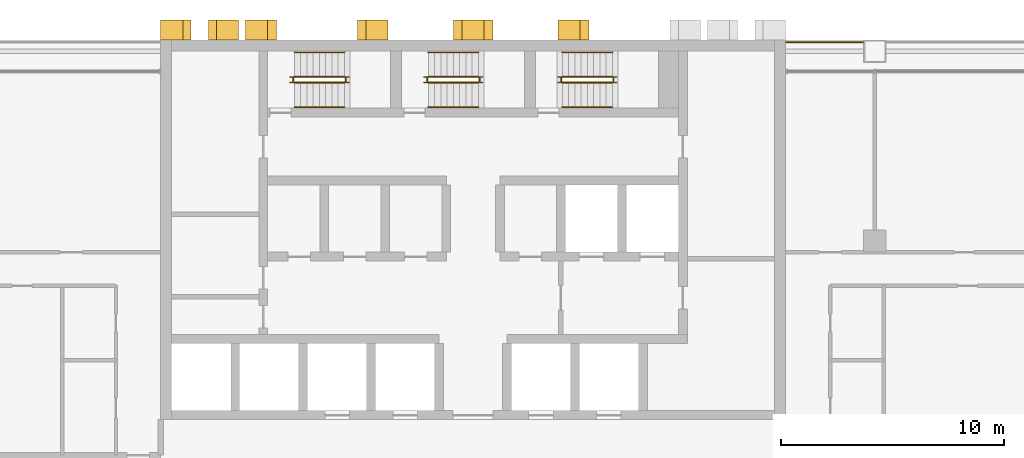
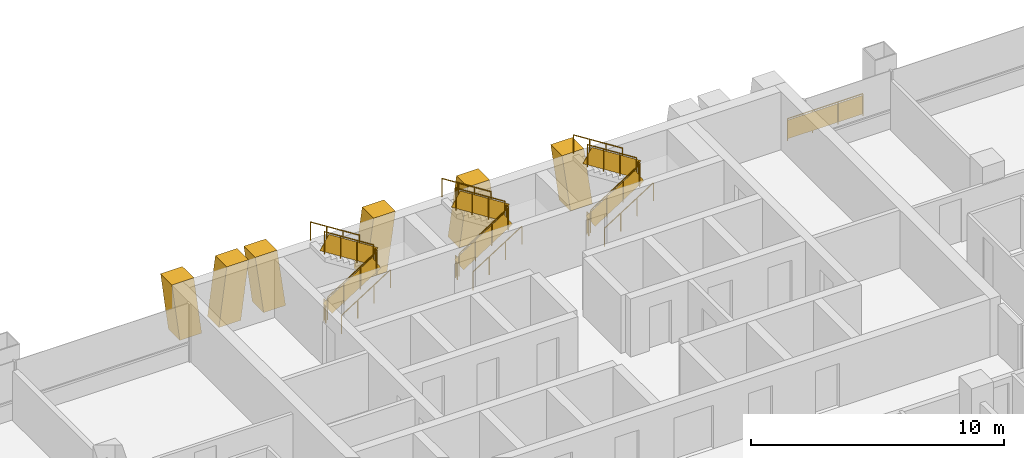
# One storey, part 18 of 19: 19 railings, 6 shading devices.
"""IFC4 building model written with IfcOpenShell, lengths in metres."""

from ifc_helpers import new_model, si_unit, direction, frame, origin, origin_2d, place, context, subcontext, project, spatial, polyline, rectangle, circle, outline, extrude, material, layer, layer_set, type_object, element, save


model = new_model("IFC4")

# Units and contexts
model_context = context("Model", 3, precision=1e-05, world=origin(), true_north=direction((0.0, 1.0)))
body_context = subcontext(model_context, "Body", "Model", "MODEL_VIEW")
ifc_project = project(units=[si_unit("LENGTHUNIT", "METRE"), si_unit("AREAUNIT", "SQUARE_METRE"), si_unit("VOLUMEUNIT", "CUBIC_METRE"), si_unit("PLANEANGLEUNIT", "RADIAN"), si_unit("MASSUNIT", "GRAM", prefix="KILO")], contexts=[model_context])

# Site, building, storey
site_placement = place(None, origin())
site = spatial("IfcSite", under=ifc_project, at=site_placement, CompositionType="ELEMENT")
building_placement = place(site_placement, origin())
building = spatial("IfcBuilding", under=site, at=building_placement, Name="Vidyagriha Tower", CompositionType="ELEMENT")
storey_placement = place(building_placement, frame((0.0, 0.0, 60.800048828125)))
storey = spatial("IfcBuildingStorey", under=building, at=storey_placement, Name="L16", CompositionType="ELEMENT", Elevation=60.800048828125)

# Shading devices
ifc_material_1 = material(Name="Precast concrete C40/50 with brick facing", Category="concrete")
ifc_layer_1 = layer(ifc_material_1, 1.0)
ifc_layer_set_1 = layer_set([ifc_layer_1], Name="Precast concrete C40/50 with brick facing")
shading_device_type_1 = type_object("IfcShadingDeviceType", Name="Brick-faced rear rib arm leaning 8 degrees", PredefinedType="USERDEFINED", material=ifc_layer_set_1)
for number, where, z_axis, x_axis, name in (
    (1, (5.185791015625, 20.449951171875, 0.0), (0.0, 0.0, 1.0), (-1.0, 0.0, 0.0), "Rear rib arm L16 R08.2a"),
    (2, (-8.814208984375, 20.449951171875, 0.0), (0.0, 0.0, 1.0), (-1.0, 0.0, 0.0), "Rear rib arm L16 R08.4a"),
):
    element("IfcShadingDevice", number, at=place(storey_placement, frame(where, z_axis=z_axis, x_axis=x_axis)), inside=storey, type_object=shading_device_type_1, Name=name, ObjectType="BLADE FIN", PredefinedType="USERDEFINED", context=body_context, shape_type="SweptSolid", body=[
        extrude(outline(polyline([(0.0, 0.0), (1.0, 0.0), (1.3857421875, 2.800048828125), (0.3857421875, 2.800048828125), (0.0, 0.0)])), frame((0.0, 0.449951171875, 0.0), z_axis=(0.0, -1.0, 0.0), x_axis=(1.0, 0.0, 0.0)), (0.0, 0.0, 1.0), 0.89990234375),
    ])
shading_device_1_placement = place(storey_placement, frame((-3.800048828125, 20.449951171875, 0.0), z_axis=(0.0, 0.0, 1.0), x_axis=(-1.0, 0.0, 0.0)))
element("IfcShadingDevice", 3, at=shading_device_1_placement, inside=storey, type_object=shading_device_type_1, Name="Rear rib arm L16 R08.4b", ObjectType="BLADE FIN", PredefinedType="USERDEFINED", context=body_context, shape_type="SweptSolid", body=[
    extrude(outline(polyline([(0.3857421875, 0.0), (1.3857421875, 0.0), (1.0, 2.800048828125), (0.0, 2.800048828125), (0.3857421875, 0.0)])), frame((0.0, 0.449951171875, 0.0), z_axis=(0.0, -1.0, 0.0), x_axis=(1.0, 0.0, 0.0)), (0.0, 0.0, 1.0), 0.89990234375),
])
shading_device_2_placement = place(storey_placement, frame((-12.642822265625, 20.449951171875, 0.0), z_axis=(0.0, 0.0, 1.0), x_axis=(-1.0, 0.0, 0.0)))
element("IfcShadingDevice", 4, at=shading_device_2_placement, inside=storey, type_object=shading_device_type_1, Name="Rear rib arm L16 R08.5a", ObjectType="BLADE FIN", PredefinedType="USERDEFINED", context=body_context, shape_type="SweptSolid", body=[
    extrude(outline(polyline([(0.0, 0.0), (1.0, 0.0), (1.357177734375, 2.800048828125), (0.357177734375, 2.800048828125), (0.0, 0.0)])), frame((0.0, 0.449951171875, 0.0), z_axis=(0.0, -1.0, 0.0), x_axis=(1.0, 0.0, 0.0)), (0.0, 0.0, 1.0), 0.89990234375),
])
shading_device_3_placement = place(storey_placement, frame((-10.5, 20.449951171875, 0.0), z_axis=(0.0, 0.0, 1.0), x_axis=(-1.0, 0.0, 0.0)))
element("IfcShadingDevice", 5, at=shading_device_3_placement, inside=storey, type_object=shading_device_type_1, Name="Rear rib arm L16 R08.5b", ObjectType="BLADE FIN", PredefinedType="USERDEFINED", context=body_context, shape_type="SweptSolid", body=[
    extrude(outline(polyline([(0.357177734375, 0.0), (1.357177734375, 0.0), (1.0, 2.800048828125), (0.0, 2.800048828125), (0.357177734375, 0.0)])), frame((0.0, 0.449951171875, 0.0), z_axis=(0.0, -1.0, 0.0), x_axis=(1.0, 0.0, 0.0)), (0.0, 0.0, 1.0), 0.89990234375),
])
ifc_material_2 = material(Name="Precast concrete C40/50 with brick facing", Category="concrete")
ifc_layer_2 = layer(ifc_material_2, 1.0)
ifc_layer_set_2 = layer_set([ifc_layer_2], Name="Precast concrete C40/50 with brick facing")
shading_device_type_2 = type_object("IfcShadingDeviceType", Name="Brick-faced rear rib forking 8 degrees", PredefinedType="USERDEFINED", material=ifc_layer_set_2)
shading_device_4_placement = place(storey_placement, frame((0.8857421875, 20.449951171875, 0.0), z_axis=(0.0, 0.0, 1.0), x_axis=(-1.0, 0.0, 0.0)))
element("IfcShadingDevice", 6, at=shading_device_4_placement, inside=storey, type_object=shading_device_type_2, Name="Rear rib fork L16 R08.3a", ObjectType="BLADE FIN", PredefinedType="USERDEFINED", context=body_context, shape_type="SweptSolid", body=[
    extrude(outline(polyline([(0.0, 0.0), (1.771484375, 0.0), (1.3857421875, 2.800048828125), (0.3857421875, 2.800048828125), (0.0, 0.0)])), frame((0.0, 0.449951171875, 0.0), z_axis=(0.0, -1.0, 0.0), x_axis=(1.0, 0.0, 0.0)), (0.0, 0.0, 1.0), 0.89990234375),
])

# Railings
ifc_material_3 = material(Name="Steel ASTM A500 Grade C black painted", Category="steel")
railing_type_1 = type_object("IfcRailingType", Name="Gallery guard 1100", PredefinedType="GUARDRAIL", material=ifc_material_3)
railing_1_placement = place(storey_placement, frame((14.030029296875, 19.89990234375, 0.0)))
element("IfcRailing", 7, at=railing_1_placement, inside=storey, type_object=railing_type_1, Name="Gallery guard L16 10", PredefinedType="GUARDRAIL", context=body_context, shape_type="SweptSolid", body=[
    extrude(circle(Radius=0.02490234375, at=origin_2d()), frame((0.0, 0.0, 1.0751953125), z_axis=(1.0, 0.0, 0.0), x_axis=(0.0, 1.0, 0.0)), (0.0, 0.0, 1.0), 3.43994140625),
    extrude(circle(Radius=0.02001953125, at=origin_2d()), origin(), (0.0, 0.0, 1.0), 1.050048828125),
    extrude(circle(Radius=0.02001953125, at=origin_2d()), frame((1.146728515625, 0.0, 0.0)), (0.0, 0.0, 1.0), 1.050048828125),
    extrude(circle(Radius=0.02001953125, at=origin_2d()), frame((2.293212890625, 0.0, 0.0)), (0.0, 0.0, 1.0), 1.050048828125),
    extrude(circle(Radius=0.02001953125, at=origin_2d()), frame((3.43994140625, 0.0, 0.0)), (0.0, 0.0, 1.0), 1.050048828125),
    extrude(rectangle(XDim=0.010009765625, YDim=0.900146484375, at=origin_2d()), frame((0.0, 0.0, 0.550048828125), z_axis=(1.0, 0.0, 0.0), x_axis=(0.0, 1.0, 0.0)), (0.0, 0.0, 1.0), 3.43994140625),
])
ifc_material_4 = material(Name="Steel ASTM A500 Grade C", Category="steel")
railing_type_2 = type_object("IfcRailingType", Name="Stair guard 1100 mm, steel balustrade", PredefinedType="GUARDRAIL", material=ifc_material_4)
railing_2_placement = place(storey_placement, frame((-8.0, 18.10009765625, 0.177734375)))
element("IfcRailing", 8, at=railing_2_placement, inside=storey, type_object=railing_type_2, Name="L16 ST1 stair guard 1", PredefinedType="GUARDRAIL", context=body_context, shape_type="SweptSolid", body=[
    extrude(circle(Radius=0.02392578125, at=origin_2d()), frame((0.0, 0.0, 1.076171875), z_axis=(0.8442293374, 0.0, 0.53598211339), x_axis=(0.0, 1.0, 0.0)), (0.0, 0.0, 1.0), 2.6533203125),
    extrude(circle(Radius=0.02099609375, at=origin_2d()), origin(), (0.0, 0.0, 1.0), 1.052001953125),
    extrude(circle(Radius=0.02099609375, at=origin_2d()), frame((0.74658203125, 0.0, 0.47412109375)), (0.0, 0.0, 1.0), 1.052001953125),
    extrude(circle(Radius=0.02099609375, at=origin_2d()), frame((1.493408203125, 0.0, 0.947998046875)), (0.0, 0.0, 1.0), 1.052001953125),
    extrude(circle(Radius=0.02099609375, at=origin_2d()), frame((2.239990234375, 0.0, 1.422119140625)), (0.0, 0.0, 1.0), 1.052001953125),
    extrude(rectangle(XDim=0.010009765625, YDim=0.761474609375, at=origin_2d()), frame((0.0, 0.0, 0.551025390625), z_axis=(0.8442293374, 0.0, 0.53598211339), x_axis=(0.0, 1.0, 0.0)), (0.0, 0.0, 1.0), 2.6533203125),
])
railing_3_placement = place(storey_placement, frame((-5.7099609375, 18.14990234375, 1.599853515625)))
element("IfcRailing", 9, at=railing_3_placement, inside=storey, type_object=railing_type_2, Name="L16 ST1 stair guard 2", PredefinedType="GUARDRAIL", context=body_context, shape_type="SweptSolid", body=[
    extrude(circle(Radius=0.02392578125, at=origin_2d()), frame((0.0, 0.0, 1.076171875), z_axis=(0.0, 1.0, 0.0), x_axis=(-1.0, 0.0, 0.0)), (0.0, 0.0, 1.0), 0.150146484375),
    extrude(circle(Radius=0.02099609375, at=origin_2d()), origin(), (0.0, 0.0, 1.0), 1.052001953125),
    extrude(circle(Radius=0.02099609375, at=origin_2d()), frame((0.0, 0.150146484375, 0.0)), (0.0, 0.0, 1.0), 1.052001953125),
    extrude(rectangle(XDim=0.010009765625, YDim=0.902099609375, at=origin_2d()), frame((0.0, 0.0, 0.551025390625), z_axis=(0.0, 1.0, 0.0), x_axis=(-1.0, 0.0, 0.0)), (0.0, 0.0, 1.0), 0.150146484375),
])
railing_4_placement = place(storey_placement, frame((-5.760009765625, 18.35009765625, 1.77783203125)))
element("IfcRailing", 10, at=railing_4_placement, inside=storey, type_object=railing_type_2, Name="L16 ST1 stair guard 3", PredefinedType="GUARDRAIL", context=body_context, shape_type="SweptSolid", body=[
    extrude(circle(Radius=0.02392578125, at=origin_2d()), frame((0.0, 0.0, 1.076171875), z_axis=(-0.8442293374, 0.0, 0.53598211339), x_axis=(0.0, -1.0, 0.0)), (0.0, 0.0, 1.0), 2.6533203125),
    extrude(circle(Radius=0.02099609375, at=origin_2d()), origin(), (0.0, 0.0, 1.0), 1.052001953125),
    extrude(circle(Radius=0.02099609375, at=origin_2d()), frame((-0.74658203125, 0.0, 0.47412109375)), (0.0, 0.0, 1.0), 1.052001953125),
    extrude(circle(Radius=0.02099609375, at=origin_2d()), frame((-1.493408203125, 0.0, 0.947998046875)), (0.0, 0.0, 1.0), 1.052001953125),
    extrude(circle(Radius=0.02099609375, at=origin_2d()), frame((-2.239990234375, 0.0, 1.422119140625)), (0.0, 0.0, 1.0), 1.052001953125),
    extrude(rectangle(XDim=0.010009765625, YDim=0.761474609375, at=origin_2d()), frame((0.0, 0.0, 0.551025390625), z_axis=(-0.8442293374, 0.0, 0.53598211339), x_axis=(0.0, -1.0, 0.0)), (0.0, 0.0, 1.0), 2.6533203125),
])
railing_5_placement = place(storey_placement, frame((-8.050048828125, 18.14990234375, 0.0)))
element("IfcRailing", 11, at=railing_5_placement, inside=storey, type_object=railing_type_2, Name="L16 ST1 stair guard 4", PredefinedType="GUARDRAIL", context=body_context, shape_type="SweptSolid", body=[
    extrude(circle(Radius=0.02392578125, at=origin_2d()), frame((0.0, 0.0, 1.076171875), z_axis=(0.0, 1.0, 0.0), x_axis=(-1.0, 0.0, 0.0)), (0.0, 0.0, 1.0), 0.150146484375),
    extrude(circle(Radius=0.02099609375, at=origin_2d()), origin(), (0.0, 0.0, 1.0), 1.052001953125),
    extrude(circle(Radius=0.02099609375, at=origin_2d()), frame((0.0, 0.150146484375, 0.0)), (0.0, 0.0, 1.0), 1.052001953125),
    extrude(rectangle(XDim=0.010009765625, YDim=0.902099609375, at=origin_2d()), frame((0.0, 0.0, 0.551025390625), z_axis=(0.0, 1.0, 0.0), x_axis=(-1.0, 0.0, 0.0)), (0.0, 0.0, 1.0), 0.150146484375),
])
railing_6_placement = place(storey_placement, frame((-2.0, 18.10009765625, 0.177734375)))
element("IfcRailing", 12, at=railing_6_placement, inside=storey, type_object=railing_type_2, Name="L16 ST2 stair guard 1", PredefinedType="GUARDRAIL", context=body_context, shape_type="SweptSolid", body=[
    extrude(circle(Radius=0.02392578125, at=origin_2d()), frame((0.0, 0.0, 1.076171875), z_axis=(0.8442293374, 0.0, 0.53598211339), x_axis=(0.0, 1.0, 0.0)), (0.0, 0.0, 1.0), 2.6533203125),
    extrude(circle(Radius=0.02099609375, at=origin_2d()), origin(), (0.0, 0.0, 1.0), 1.052001953125),
    extrude(circle(Radius=0.02099609375, at=origin_2d()), frame((0.74658203125, 0.0, 0.47412109375)), (0.0, 0.0, 1.0), 1.052001953125),
    extrude(circle(Radius=0.02099609375, at=origin_2d()), frame((1.493408203125, 0.0, 0.947998046875)), (0.0, 0.0, 1.0), 1.052001953125),
    extrude(circle(Radius=0.02099609375, at=origin_2d()), frame((2.239990234375, 0.0, 1.422119140625)), (0.0, 0.0, 1.0), 1.052001953125),
    extrude(rectangle(XDim=0.010009765625, YDim=0.761474609375, at=origin_2d()), frame((0.0, 0.0, 0.551025390625), z_axis=(0.8442293374, 0.0, 0.53598211339), x_axis=(0.0, 1.0, 0.0)), (0.0, 0.0, 1.0), 2.6533203125),
])
railing_7_placement = place(storey_placement, frame((0.2900390625, 18.14990234375, 1.599853515625)))
element("IfcRailing", 13, at=railing_7_placement, inside=storey, type_object=railing_type_2, Name="L16 ST2 stair guard 2", PredefinedType="GUARDRAIL", context=body_context, shape_type="SweptSolid", body=[
    extrude(circle(Radius=0.02392578125, at=origin_2d()), frame((0.0, 0.0, 1.076171875), z_axis=(0.0, 1.0, 0.0), x_axis=(-1.0, 0.0, 0.0)), (0.0, 0.0, 1.0), 0.150146484375),
    extrude(circle(Radius=0.02099609375, at=origin_2d()), origin(), (0.0, 0.0, 1.0), 1.052001953125),
    extrude(circle(Radius=0.02099609375, at=origin_2d()), frame((0.0, 0.150146484375, 0.0)), (0.0, 0.0, 1.0), 1.052001953125),
    extrude(rectangle(XDim=0.010009765625, YDim=0.902099609375, at=origin_2d()), frame((0.0, 0.0, 0.551025390625), z_axis=(0.0, 1.0, 0.0), x_axis=(-1.0, 0.0, 0.0)), (0.0, 0.0, 1.0), 0.150146484375),
])
railing_8_placement = place(storey_placement, frame((0.239990234375, 18.35009765625, 1.77783203125)))
element("IfcRailing", 14, at=railing_8_placement, inside=storey, type_object=railing_type_2, Name="L16 ST2 stair guard 3", PredefinedType="GUARDRAIL", context=body_context, shape_type="SweptSolid", body=[
    extrude(circle(Radius=0.02392578125, at=origin_2d()), frame((0.0, 0.0, 1.076171875), z_axis=(-0.8442293374, 0.0, 0.53598211339), x_axis=(0.0, -1.0, 0.0)), (0.0, 0.0, 1.0), 2.6533203125),
    extrude(circle(Radius=0.02099609375, at=origin_2d()), origin(), (0.0, 0.0, 1.0), 1.052001953125),
    extrude(circle(Radius=0.02099609375, at=origin_2d()), frame((-0.74658203125, 0.0, 0.47412109375)), (0.0, 0.0, 1.0), 1.052001953125),
    extrude(circle(Radius=0.02099609375, at=origin_2d()), frame((-1.493408203125, 0.0, 0.947998046875)), (0.0, 0.0, 1.0), 1.052001953125),
    extrude(circle(Radius=0.02099609375, at=origin_2d()), frame((-2.239990234375, 0.0, 1.422119140625)), (0.0, 0.0, 1.0), 1.052001953125),
    extrude(rectangle(XDim=0.010009765625, YDim=0.761474609375, at=origin_2d()), frame((0.0, 0.0, 0.551025390625), z_axis=(-0.8442293374, 0.0, 0.53598211339), x_axis=(0.0, -1.0, 0.0)), (0.0, 0.0, 1.0), 2.6533203125),
])
railing_9_placement = place(storey_placement, frame((-2.050048828125, 18.14990234375, 0.0)))
element("IfcRailing", 15, at=railing_9_placement, inside=storey, type_object=railing_type_2, Name="L16 ST2 stair guard 4", PredefinedType="GUARDRAIL", context=body_context, shape_type="SweptSolid", body=[
    extrude(circle(Radius=0.02392578125, at=origin_2d()), frame((0.0, 0.0, 1.076171875), z_axis=(0.0, 1.0, 0.0), x_axis=(-1.0, 0.0, 0.0)), (0.0, 0.0, 1.0), 0.150146484375),
    extrude(circle(Radius=0.02099609375, at=origin_2d()), origin(), (0.0, 0.0, 1.0), 1.052001953125),
    extrude(circle(Radius=0.02099609375, at=origin_2d()), frame((0.0, 0.150146484375, 0.0)), (0.0, 0.0, 1.0), 1.052001953125),
    extrude(rectangle(XDim=0.010009765625, YDim=0.902099609375, at=origin_2d()), frame((0.0, 0.0, 0.551025390625), z_axis=(0.0, 1.0, 0.0), x_axis=(-1.0, 0.0, 0.0)), (0.0, 0.0, 1.0), 0.150146484375),
])
railing_10_placement = place(storey_placement, frame((4.0, 18.10009765625, 0.177734375)))
element("IfcRailing", 16, at=railing_10_placement, inside=storey, type_object=railing_type_2, Name="L16 ST3 stair guard 1", PredefinedType="GUARDRAIL", context=body_context, shape_type="SweptSolid", body=[
    extrude(circle(Radius=0.02392578125, at=origin_2d()), frame((0.0, 0.0, 1.076171875), z_axis=(0.8442293374, 0.0, 0.53598211339), x_axis=(0.0, 1.0, 0.0)), (0.0, 0.0, 1.0), 2.6533203125),
    extrude(circle(Radius=0.02099609375, at=origin_2d()), origin(), (0.0, 0.0, 1.0), 1.052001953125),
    extrude(circle(Radius=0.02099609375, at=origin_2d()), frame((0.74658203125, 0.0, 0.47412109375)), (0.0, 0.0, 1.0), 1.052001953125),
    extrude(circle(Radius=0.02099609375, at=origin_2d()), frame((1.493408203125, 0.0, 0.947998046875)), (0.0, 0.0, 1.0), 1.052001953125),
    extrude(circle(Radius=0.02099609375, at=origin_2d()), frame((2.239990234375, 0.0, 1.422119140625)), (0.0, 0.0, 1.0), 1.052001953125),
    extrude(rectangle(XDim=0.010009765625, YDim=0.761474609375, at=origin_2d()), frame((0.0, 0.0, 0.551025390625), z_axis=(0.8442293374, 0.0, 0.53598211339), x_axis=(0.0, 1.0, 0.0)), (0.0, 0.0, 1.0), 2.6533203125),
])
railing_11_placement = place(storey_placement, frame((6.2900390625, 18.14990234375, 1.599853515625)))
element("IfcRailing", 17, at=railing_11_placement, inside=storey, type_object=railing_type_2, Name="L16 ST3 stair guard 2", PredefinedType="GUARDRAIL", context=body_context, shape_type="SweptSolid", body=[
    extrude(circle(Radius=0.02392578125, at=origin_2d()), frame((0.0, 0.0, 1.076171875), z_axis=(0.0, 1.0, 0.0), x_axis=(-1.0, 0.0, 0.0)), (0.0, 0.0, 1.0), 0.150146484375),
    extrude(circle(Radius=0.02099609375, at=origin_2d()), origin(), (0.0, 0.0, 1.0), 1.052001953125),
    extrude(circle(Radius=0.02099609375, at=origin_2d()), frame((0.0, 0.150146484375, 0.0)), (0.0, 0.0, 1.0), 1.052001953125),
    extrude(rectangle(XDim=0.010009765625, YDim=0.902099609375, at=origin_2d()), frame((0.0, 0.0, 0.551025390625), z_axis=(0.0, 1.0, 0.0), x_axis=(-1.0, 0.0, 0.0)), (0.0, 0.0, 1.0), 0.150146484375),
])
railing_12_placement = place(storey_placement, frame((6.239990234375, 18.35009765625, 1.77783203125)))
element("IfcRailing", 18, at=railing_12_placement, inside=storey, type_object=railing_type_2, Name="L16 ST3 stair guard 3", PredefinedType="GUARDRAIL", context=body_context, shape_type="SweptSolid", body=[
    extrude(circle(Radius=0.02392578125, at=origin_2d()), frame((0.0, 0.0, 1.076171875), z_axis=(-0.8442293374, 0.0, 0.53598211339), x_axis=(0.0, -1.0, 0.0)), (0.0, 0.0, 1.0), 2.6533203125),
    extrude(circle(Radius=0.02099609375, at=origin_2d()), origin(), (0.0, 0.0, 1.0), 1.052001953125),
    extrude(circle(Radius=0.02099609375, at=origin_2d()), frame((-0.74658203125, 0.0, 0.47412109375)), (0.0, 0.0, 1.0), 1.052001953125),
    extrude(circle(Radius=0.02099609375, at=origin_2d()), frame((-1.493408203125, 0.0, 0.947998046875)), (0.0, 0.0, 1.0), 1.052001953125),
    extrude(circle(Radius=0.02099609375, at=origin_2d()), frame((-2.239990234375, 0.0, 1.422119140625)), (0.0, 0.0, 1.0), 1.052001953125),
    extrude(rectangle(XDim=0.010009765625, YDim=0.761474609375, at=origin_2d()), frame((0.0, 0.0, 0.551025390625), z_axis=(-0.8442293374, 0.0, 0.53598211339), x_axis=(0.0, -1.0, 0.0)), (0.0, 0.0, 1.0), 2.6533203125),
])
railing_13_placement = place(storey_placement, frame((3.949951171875, 18.14990234375, 0.0)))
element("IfcRailing", 19, at=railing_13_placement, inside=storey, type_object=railing_type_2, Name="L16 ST3 stair guard 4", PredefinedType="GUARDRAIL", context=body_context, shape_type="SweptSolid", body=[
    extrude(circle(Radius=0.02392578125, at=origin_2d()), frame((0.0, 0.0, 1.076171875), z_axis=(0.0, 1.0, 0.0), x_axis=(-1.0, 0.0, 0.0)), (0.0, 0.0, 1.0), 0.150146484375),
    extrude(circle(Radius=0.02099609375, at=origin_2d()), origin(), (0.0, 0.0, 1.0), 1.052001953125),
    extrude(circle(Radius=0.02099609375, at=origin_2d()), frame((0.0, 0.150146484375, 0.0)), (0.0, 0.0, 1.0), 1.052001953125),
    extrude(rectangle(XDim=0.010009765625, YDim=0.902099609375, at=origin_2d()), frame((0.0, 0.0, 0.551025390625), z_axis=(0.0, 1.0, 0.0), x_axis=(-1.0, 0.0, 0.0)), (0.0, 0.0, 1.0), 0.150146484375),
])
ifc_material_5 = material(Name="Steel ASTM A500 Grade C", Category="steel")
railing_type_3 = type_object("IfcRailingType", Name="Stair handrail 900 mm, steel", PredefinedType="HANDRAIL", material=ifc_material_5)
railing_14_placement = place(storey_placement, frame((-8.0, 17.0, 0.177734375)))
element("IfcRailing", 20, at=railing_14_placement, inside=storey, type_object=railing_type_3, Name="L16 ST1 stair handrail 1", PredefinedType="HANDRAIL", context=body_context, shape_type="SweptSolid", body=[
    extrude(circle(Radius=0.02392578125, at=origin_2d()), frame((0.0, 0.0, 0.8759765625), z_axis=(0.8442293374, 0.0, 0.53598211339), x_axis=(0.0, 1.0, 0.0)), (0.0, 0.0, 1.0), 2.6533203125),
    extrude(circle(Radius=0.02099609375, at=origin_2d()), origin(), (0.0, 0.0, 1.0), 0.851806640625),
    extrude(circle(Radius=0.02099609375, at=origin_2d()), frame((0.74658203125, 0.0, 0.47412109375)), (0.0, 0.0, 1.0), 0.851806640625),
    extrude(circle(Radius=0.02099609375, at=origin_2d()), frame((1.493408203125, 0.0, 0.947998046875)), (0.0, 0.0, 1.0), 0.851806640625),
    extrude(circle(Radius=0.02099609375, at=origin_2d()), frame((2.239990234375, 0.0, 1.422119140625)), (0.0, 0.0, 1.0), 0.851806640625),
])
railing_15_placement = place(storey_placement, frame((-5.760009765625, 19.449951171875, 1.77783203125)))
element("IfcRailing", 21, at=railing_15_placement, inside=storey, type_object=railing_type_3, Name="L16 ST1 stair handrail 2", PredefinedType="HANDRAIL", context=body_context, shape_type="SweptSolid", body=[
    extrude(circle(Radius=0.02392578125, at=origin_2d()), frame((0.0, 0.0, 0.8759765625), z_axis=(-0.8442293374, 0.0, 0.53598211339), x_axis=(0.0, -1.0, 0.0)), (0.0, 0.0, 1.0), 2.6533203125),
    extrude(circle(Radius=0.02099609375, at=origin_2d()), origin(), (0.0, 0.0, 1.0), 0.851806640625),
    extrude(circle(Radius=0.02099609375, at=origin_2d()), frame((-0.74658203125, 0.0, 0.47412109375)), (0.0, 0.0, 1.0), 0.851806640625),
    extrude(circle(Radius=0.02099609375, at=origin_2d()), frame((-1.493408203125, 0.0, 0.947998046875)), (0.0, 0.0, 1.0), 0.851806640625),
    extrude(circle(Radius=0.02099609375, at=origin_2d()), frame((-2.239990234375, 0.0, 1.422119140625)), (0.0, 0.0, 1.0), 0.851806640625),
])
railing_16_placement = place(storey_placement, frame((-2.0, 17.0, 0.177734375)))
element("IfcRailing", 22, at=railing_16_placement, inside=storey, type_object=railing_type_3, Name="L16 ST2 stair handrail 1", PredefinedType="HANDRAIL", context=body_context, shape_type="SweptSolid", body=[
    extrude(circle(Radius=0.02392578125, at=origin_2d()), frame((0.0, 0.0, 0.8759765625), z_axis=(0.8442293374, 0.0, 0.53598211339), x_axis=(0.0, 1.0, 0.0)), (0.0, 0.0, 1.0), 2.6533203125),
    extrude(circle(Radius=0.02099609375, at=origin_2d()), origin(), (0.0, 0.0, 1.0), 0.851806640625),
    extrude(circle(Radius=0.02099609375, at=origin_2d()), frame((0.74658203125, 0.0, 0.47412109375)), (0.0, 0.0, 1.0), 0.851806640625),
    extrude(circle(Radius=0.02099609375, at=origin_2d()), frame((1.493408203125, 0.0, 0.947998046875)), (0.0, 0.0, 1.0), 0.851806640625),
    extrude(circle(Radius=0.02099609375, at=origin_2d()), frame((2.239990234375, 0.0, 1.422119140625)), (0.0, 0.0, 1.0), 0.851806640625),
])
railing_17_placement = place(storey_placement, frame((0.239990234375, 19.449951171875, 1.77783203125)))
element("IfcRailing", 23, at=railing_17_placement, inside=storey, type_object=railing_type_3, Name="L16 ST2 stair handrail 2", PredefinedType="HANDRAIL", context=body_context, shape_type="SweptSolid", body=[
    extrude(circle(Radius=0.02392578125, at=origin_2d()), frame((0.0, 0.0, 0.8759765625), z_axis=(-0.8442293374, 0.0, 0.53598211339), x_axis=(0.0, -1.0, 0.0)), (0.0, 0.0, 1.0), 2.6533203125),
    extrude(circle(Radius=0.02099609375, at=origin_2d()), origin(), (0.0, 0.0, 1.0), 0.851806640625),
    extrude(circle(Radius=0.02099609375, at=origin_2d()), frame((-0.74658203125, 0.0, 0.47412109375)), (0.0, 0.0, 1.0), 0.851806640625),
    extrude(circle(Radius=0.02099609375, at=origin_2d()), frame((-1.493408203125, 0.0, 0.947998046875)), (0.0, 0.0, 1.0), 0.851806640625),
    extrude(circle(Radius=0.02099609375, at=origin_2d()), frame((-2.239990234375, 0.0, 1.422119140625)), (0.0, 0.0, 1.0), 0.851806640625),
])
railing_18_placement = place(storey_placement, frame((4.0, 17.0, 0.177734375)))
element("IfcRailing", 24, at=railing_18_placement, inside=storey, type_object=railing_type_3, Name="L16 ST3 stair handrail 1", PredefinedType="HANDRAIL", context=body_context, shape_type="SweptSolid", body=[
    extrude(circle(Radius=0.02392578125, at=origin_2d()), frame((0.0, 0.0, 0.8759765625), z_axis=(0.8442293374, 0.0, 0.53598211339), x_axis=(0.0, 1.0, 0.0)), (0.0, 0.0, 1.0), 2.6533203125),
    extrude(circle(Radius=0.02099609375, at=origin_2d()), origin(), (0.0, 0.0, 1.0), 0.851806640625),
    extrude(circle(Radius=0.02099609375, at=origin_2d()), frame((0.74658203125, 0.0, 0.47412109375)), (0.0, 0.0, 1.0), 0.851806640625),
    extrude(circle(Radius=0.02099609375, at=origin_2d()), frame((1.493408203125, 0.0, 0.947998046875)), (0.0, 0.0, 1.0), 0.851806640625),
    extrude(circle(Radius=0.02099609375, at=origin_2d()), frame((2.239990234375, 0.0, 1.422119140625)), (0.0, 0.0, 1.0), 0.851806640625),
])
railing_19_placement = place(storey_placement, frame((6.239990234375, 19.449951171875, 1.77783203125)))
element("IfcRailing", 25, at=railing_19_placement, inside=storey, type_object=railing_type_3, Name="L16 ST3 stair handrail 2", PredefinedType="HANDRAIL", context=body_context, shape_type="SweptSolid", body=[
    extrude(circle(Radius=0.02392578125, at=origin_2d()), frame((0.0, 0.0, 0.8759765625), z_axis=(-0.8442293374, 0.0, 0.53598211339), x_axis=(0.0, -1.0, 0.0)), (0.0, 0.0, 1.0), 2.6533203125),
    extrude(circle(Radius=0.02099609375, at=origin_2d()), origin(), (0.0, 0.0, 1.0), 0.851806640625),
    extrude(circle(Radius=0.02099609375, at=origin_2d()), frame((-0.74658203125, 0.0, 0.47412109375)), (0.0, 0.0, 1.0), 0.851806640625),
    extrude(circle(Radius=0.02099609375, at=origin_2d()), frame((-1.493408203125, 0.0, 0.947998046875)), (0.0, 0.0, 1.0), 0.851806640625),
    extrude(circle(Radius=0.02099609375, at=origin_2d()), frame((-2.239990234375, 0.0, 1.422119140625)), (0.0, 0.0, 1.0), 0.851806640625),
])

save(model, "model.ifc")
